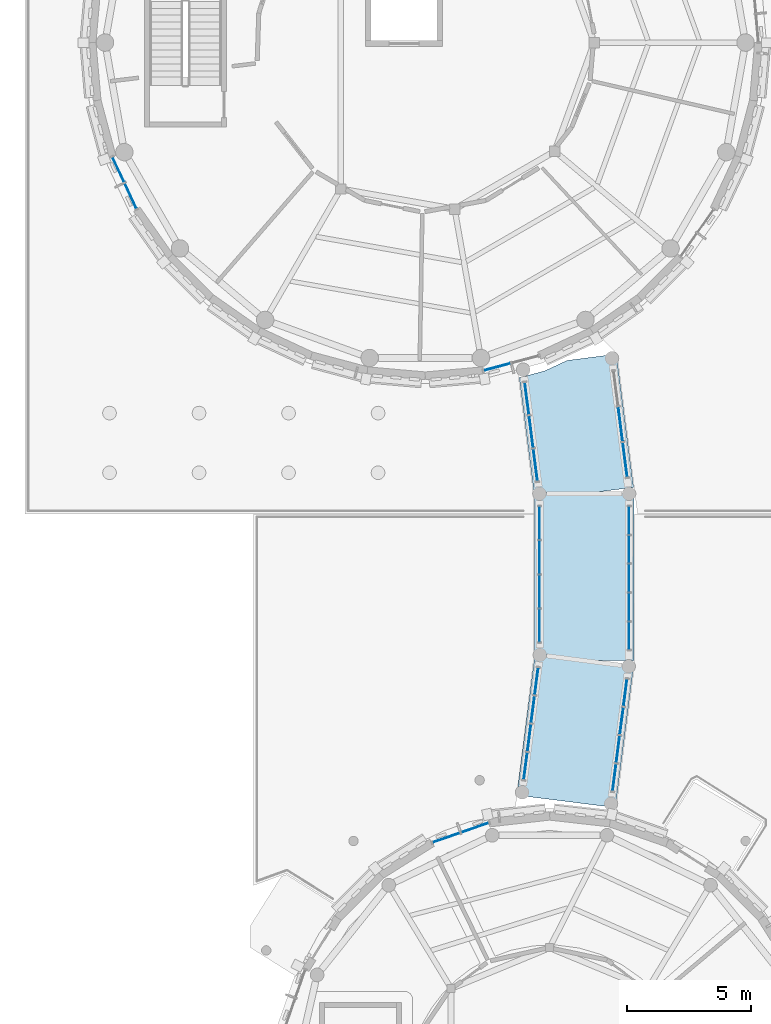
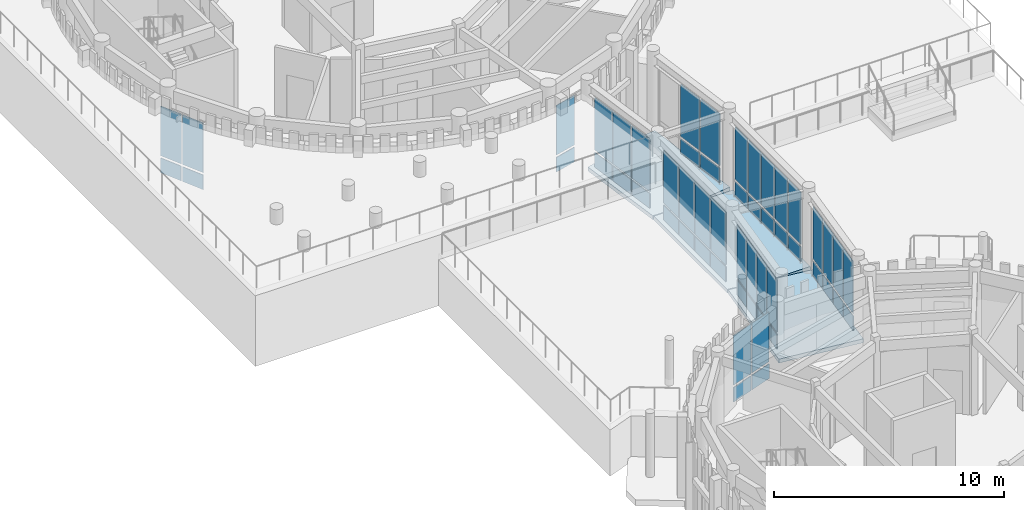
# One storey, part 38 of 94: 54 plates, 3 slabs, 9 elements without a shape of their own.
"""IFC4 building model written with IfcOpenShell, lengths in metres."""

import ifcopenshell
import ifcopenshell.guid

model = None  # the IFC model being written
_history = None  # IfcOwnerHistory: only IFC2X3 demands one
_inside = {}  # id of a spatial element -> (the spatial element, [elements in it])
_under = {}  # id of a project, library or spatial element -> (it, [spatial elements below it])
_declared = {}  # id of a project -> (the project, [libraries it declares])
_typed = {}  # id of a type object -> (the type object, [elements of that type])
_made_of = {}  # id of a material, layer set ... -> (it, [elements and type objects made of it])


def new_model(schema):
    """Start an empty IFC model of exactly this schema.

    Asked for "IFC4X3", IfcOpenShell would pick the latest addendum, in which some entities
    have other attributes; the version numbers below select the first issue.
    IFC2X3 requires an IfcOwnerHistory on every rooted entity: one is made here for all.
    """
    global model, _history
    if schema == "IFC4X3":
        model = ifcopenshell.file(schema_version=(4, 3, 0, 0))
    else:
        model = ifcopenshell.file(schema=schema)
    _inside.clear()
    _under.clear()
    _declared.clear()
    _typed.clear()
    _made_of.clear()
    _history = None
    if model.schema == "IFC2X3":
        org = make("IfcOrganization", Name="unknown")
        user = make(
            "IfcPersonAndOrganization",
            ThePerson=make("IfcPerson", FamilyName="unknown"),
            TheOrganization=org,
        )
        app = make(
            "IfcApplication",
            ApplicationDeveloper=org,
            Version="unknown",
            ApplicationFullName="unknown",
            ApplicationIdentifier="unknown",
        )
        _history = make(
            "IfcOwnerHistory",
            OwningUser=user,
            OwningApplication=app,
            ChangeAction="ADDED",
            CreationDate=0,
        )
    return model


def make(cls, **values):
    """One entity of the class cls with the attributes given. An attribute that is None is left unset."""
    return model.create_entity(
        cls, **{name: value for name, value in values.items() if value is not None}
    )


def rooted(cls, **values):
    """An entity with a GlobalId (a new one), such as an element, a storey or a relation."""
    return make(cls, GlobalId=ifcopenshell.guid.new(), OwnerHistory=_history, **values)


def si_unit(unit_type, name, prefix=None):
    """IfcSIUnit, for example si_unit("LENGTHUNIT", "METRE", prefix="MILLI")."""
    return make("IfcSIUnit", UnitType=unit_type, Prefix=prefix, Name=name)


def assignment(units):
    """IfcUnitAssignment: the units of a project."""
    return None if units is None else make("IfcUnitAssignment", Units=units)


def point(xyz):
    """IfcCartesianPoint."""
    return None if xyz is None else make("IfcCartesianPoint", Coordinates=xyz)


def direction(xyz):
    """IfcDirection."""
    return None if xyz is None else make("IfcDirection", DirectionRatios=xyz)


def frame(location, z_axis=None, x_axis=None):
    """IfcAxis2Placement3D, a coordinate frame: its origin and axes. An axis left out is left unset."""
    return make(
        "IfcAxis2Placement3D",
        Location=point(location),
        Axis=direction(z_axis),
        RefDirection=direction(x_axis),
    )


def frame_2d(location, x_axis=None):
    """IfcAxis2Placement2D, a coordinate frame in the plane: its origin and x axis."""
    return make(
        "IfcAxis2Placement2D", Location=point(location), RefDirection=direction(x_axis)
    )


def origin():
    """The frame at (0, 0, 0) with its axes left unset."""
    return frame((0.0, 0.0, 0.0))


def origin_2d():
    """The frame at (0, 0) in the plane with its x axis left unset."""
    return frame_2d((0.0, 0.0))


def place(relative_to, where):
    """IfcLocalPlacement: puts the frame where relative to a parent placement (None: the world)."""
    return make(
        "IfcLocalPlacement", PlacementRelTo=relative_to, RelativePlacement=where
    )


def context(
    kind, dimensions, precision=None, world=None, true_north=None, identifier=None
):
    """IfcGeometricRepresentationContext, for example the 3D "Model" context."""
    return make(
        "IfcGeometricRepresentationContext",
        ContextIdentifier=identifier,
        ContextType=kind,
        CoordinateSpaceDimension=dimensions,
        Precision=precision,
        WorldCoordinateSystem=world,
        TrueNorth=true_north,
    )


def subcontext(parent, identifier, kind, view, scale=None):
    """IfcGeometricRepresentationSubContext, for example "Body" below "Model"."""
    return make(
        "IfcGeometricRepresentationSubContext",
        ContextIdentifier=identifier,
        ContextType=kind,
        ParentContext=parent,
        TargetScale=scale,
        TargetView=view,
    )


def project(units=None, contexts=None):
    """IfcProject with its units and contexts."""
    return rooted(
        "IfcProject",
        Name="project",
        RepresentationContexts=contexts,
        UnitsInContext=assignment(units),
    )


def spatial(cls, under=None, at=None, **own):
    """A site, building, storey or space (cls), placed at a placement, below another one or the project."""
    s = rooted(cls, ObjectPlacement=at, **own)
    if under is not None:
        _under.setdefault(under.id(), (under, []))[1].append(s)
    return s


def polyline(points):
    """IfcPolyline through the points."""
    return make("IfcPolyline", Points=[point(p) for p in points])


def profile(cls, at=None, kind="AREA", **sizes):
    """A parametric profile (cls). Its sizes go by their IFC names, for example OverallWidth=200.0."""
    return make(cls, ProfileType=kind, Position=at, **sizes)


def rectangle(**sizes):
    """IfcRectangleProfileDef."""
    return profile("IfcRectangleProfileDef", **sizes)


def outline(outer, holes=None, kind="AREA"):
    """IfcArbitraryClosedProfileDef: a profile drawn as a closed curve; with holes, ...WithVoids."""
    if holes is None:
        return make("IfcArbitraryClosedProfileDef", ProfileType=kind, OuterCurve=outer)
    return make(
        "IfcArbitraryProfileDefWithVoids",
        ProfileType=kind,
        OuterCurve=outer,
        InnerCurves=holes,
    )


def extrude(swept, where, along, depth):
    """IfcExtrudedAreaSolid: the profile swept, set in the frame where, extruded along a direction by depth."""
    return make(
        "IfcExtrudedAreaSolid",
        SweptArea=swept,
        Position=where,
        ExtrudedDirection=direction(along),
        Depth=depth,
    )


def shape(context_of_items, identifier, shape_type, items):
    """IfcShapeRepresentation: the items that make up one representation, for example the "Body"."""
    return make(
        "IfcShapeRepresentation",
        ContextOfItems=context_of_items,
        RepresentationIdentifier=identifier,
        RepresentationType=shape_type,
        Items=items,
    )


def material(Name=None, Category=None):
    """IfcMaterial."""
    return make("IfcMaterial", Name=Name, Category=Category)


def layer(
    of_material, thickness, ventilated=None, Name=None, Category=None, Priority=None
):
    """IfcMaterialLayer: one layer of a wall or slab, of a material (None: an air gap)."""
    return make(
        "IfcMaterialLayer",
        Material=of_material,
        LayerThickness=thickness,
        IsVentilated=ventilated,
        Name=Name,
        Category=Category,
        Priority=Priority,
    )


def layer_set(layers, Name=None):
    """IfcMaterialLayerSet."""
    return make("IfcMaterialLayerSet", MaterialLayers=layers, LayerSetName=Name)


def made_of(thing, what):
    """Note that an element or type object is made of a material, layer set ...; save() writes the relation."""
    if what is not None:
        _made_of.setdefault(what.id(), (what, []))[1].append(thing)
    return thing


def type_object(cls, material=None, **own):
    """A type object (cls), such as IfcWallType, which elements share."""
    return made_of(rooted(cls, **own), material)


def element(
    cls,
    number,
    at=None,
    inside=None,
    cuts=None,
    type_object=None,
    material=None,
    context=None,
    identifier="Body",
    shape_type=None,
    held_by="IfcProductDefinitionShape",
    body=None,
    shapes=None,
    **own,
):
    """One element of the class cls, such as IfcWall. Its Tag is "e" and its number.

    at: its placement. inside: the storey or other place that contains it. cuts: it is an
    opening in that element (IfcRelVoidsElement). A single representation is given by context,
    identifier, shape_type and body (its items); several are given by shapes. held_by: the class
    of the entity that holds the representations. save() writes the other relations.
    """
    e = rooted(cls, Tag="e%d" % number, ObjectPlacement=at, **own)
    if body is not None:
        shapes = [shape(context, identifier, shape_type, body)]
    if shapes is not None:
        e.Representation = make(held_by, Representations=shapes)
    if inside is not None:
        _inside.setdefault(inside.id(), (inside, []))[1].append(e)
    if cuts is not None:
        rooted(
            "IfcRelVoidsElement", RelatingBuildingElement=cuts, RelatedOpeningElement=e
        )
    if type_object is not None:
        _typed.setdefault(type_object.id(), (type_object, []))[1].append(e)
    return made_of(e, material)


def aggregate(whole, parts):
    """IfcRelAggregates: a whole, such as a stair, and the parts it consists of."""
    return rooted("IfcRelAggregates", RelatingObject=whole, RelatedObjects=parts)


def save(model, path):
    """Write the relations noted so far, then the file.

    IfcRelAggregates (storeys below a building ...), IfcRelContainedInSpatialStructure (elements
    in a storey), IfcRelDefinesByType, IfcRelAssociatesMaterial and IfcRelDeclares: one each for
    every whole, place, type object, material and project.
    """
    for whole, parts in _under.values():
        aggregate(whole, parts)
    for where, things in _inside.values():
        rooted(
            "IfcRelContainedInSpatialStructure",
            RelatedElements=things,
            RelatingStructure=where,
        )
    for kind, things in _typed.values():
        rooted("IfcRelDefinesByType", RelatedObjects=things, RelatingType=kind)
    for what, things in _made_of.values():
        rooted("IfcRelAssociatesMaterial", RelatedObjects=things, RelatingMaterial=what)
    for by, libraries in _declared.values():
        rooted("IfcRelDeclares", RelatingContext=by, RelatedDefinitions=libraries)
    model.write(path)


model = new_model("IFC4")

# Units and contexts
model_context = context("Model", 3, precision=1e-05, world=origin(), true_north=direction((0.0, 1.0)))
body_context = subcontext(model_context, "Body", "Model", "MODEL_VIEW")
ifc_project = project(units=[si_unit("LENGTHUNIT", "METRE"), si_unit("AREAUNIT", "SQUARE_METRE"), si_unit("VOLUMEUNIT", "CUBIC_METRE"), si_unit("PLANEANGLEUNIT", "RADIAN"), si_unit("MASSUNIT", "GRAM", prefix="KILO")], contexts=[model_context])

# Site, building, storey
site_placement = place(None, origin())
site = spatial("IfcSite", under=ifc_project, at=site_placement, CompositionType="ELEMENT")
building_placement = place(site_placement, origin())
building = spatial("IfcBuilding", under=site, at=building_placement, Name="Aldenvaro Health Centre", CompositionType="ELEMENT")
storey_placement = place(building_placement, origin())
storey = spatial("IfcBuildingStorey", under=building, at=storey_placement, Name="L00", CompositionType="ELEMENT", Elevation=0.0)

# Curtain wall, plates
ifc_material_1 = material(Name="Anodised Aluminium 6063-T6", Category="aluminium")
ifc_layer_1 = layer(ifc_material_1, 0.195068359375, Name="Anodised Aluminium 6063-T6", Category="aluminium")
ifc_layer_set_1 = layer_set([ifc_layer_1], Name="Anodised Aluminium 6063-T6")
curtain_wall_type_1 = type_object("IfcCurtainWallType", Name="CW-CLN-02", PredefinedType="NOTDEFINED", material=ifc_layer_set_1)
curtain_wall_1_placement = place(storey_placement, origin())
curtain_wall_1 = element("IfcCurtainWall", 1, at=curtain_wall_1_placement, inside=storey, type_object=curtain_wall_type_1, Name="D3 L00 curtain wall bay 20", PredefinedType="NOTDEFINED")
ifc_material_2 = material(Name="Low-E Double Glazing IGU", Category="glass")
ifc_layer_2 = layer(ifc_material_2, 0.028076171875, Name="Low-E Double Glazing IGU", Category="glass")
ifc_layer_set_2 = layer_set([ifc_layer_2], Name="Low-E Double Glazing IGU")
plate_type_1 = type_object("IfcPlateType", Name="CWP-IGU-28", PredefinedType="CURTAIN_PANEL", material=ifc_layer_set_2)
plate_1_placement = place(storey_placement, frame((19.346923828125, 67.52197265625, 0.96044921875), z_axis=(0.0, 0.0, 1.0), x_axis=(0.943909441385, 0.330204431323, 0.0)))
plate_1 = element("IfcPlate", 2, at=plate_1_placement, type_object=plate_type_1, Name="D3 L00 curtain wall bay 20 vision glazing 1", PredefinedType="CURTAIN_PANEL", context=body_context, shape_type="SweptSolid", body=[
    extrude(rectangle(XDim=1.14990234375, YDim=0.028076171875, at=origin_2d()), origin(), (0.0, 0.0, 1.0), 2.638916015625),
])
plate_2_placement = place(storey_placement, frame((20.4990234375, 67.925048828125, 0.96044921875), z_axis=(0.0, 0.0, 1.0), x_axis=(0.943909441385, 0.330204431323, 0.0)))
plate_2 = element("IfcPlate", 3, at=plate_2_placement, type_object=plate_type_1, Name="D3 L00 curtain wall bay 20 vision glazing 2", PredefinedType="CURTAIN_PANEL", context=body_context, shape_type="SweptSolid", body=[
    extrude(rectangle(XDim=1.14990234375, YDim=0.028076171875, at=origin_2d()), origin(), (0.0, 0.0, 1.0), 2.638916015625),
])

# Curtain wall, plate
curtain_wall_2_placement = place(storey_placement, origin())
curtain_wall_2 = element("IfcCurtainWall", 4, at=curtain_wall_2_placement, inside=storey, type_object=curtain_wall_type_1, Name="D4 L00 curtain wall bay 08", PredefinedType="NOTDEFINED")
plate_3_placement = place(storey_placement, frame((21.39111328125, 86.455078125, 0.96044921875), z_axis=(0.0, 0.0, 1.0), x_axis=(-0.965978620089, -0.258621935517, 0.0)))
plate_3 = element("IfcPlate", 5, at=plate_3_placement, type_object=plate_type_1, Name="D4 L00 curtain wall bay 08 vision glazing 2", PredefinedType="CURTAIN_PANEL", context=body_context, shape_type="SweptSolid", body=[
    extrude(rectangle(XDim=1.097900390625, YDim=0.028076171875, at=origin_2d()), origin(), (0.0, 0.0, 1.0), 2.638916015625),
])

# Curtain wall, plates
curtain_wall_3_placement = place(storey_placement, origin())
curtain_wall_3 = element("IfcCurtainWall", 6, at=curtain_wall_3_placement, inside=storey, type_object=curtain_wall_type_1, Name="D4 L00 curtain wall bay 16", PredefinedType="NOTDEFINED")
plate_4_placement = place(storey_placement, frame((6.64794921875, 93.3291015625, 0.96044921875), z_axis=(0.0, 0.0, 1.0), x_axis=(-0.422557314215, 0.90633620484, 0.0)))
plate_4 = element("IfcPlate", 7, at=plate_4_placement, type_object=plate_type_1, Name="D4 L00 curtain wall bay 16 vision glazing 1", PredefinedType="CURTAIN_PANEL", context=body_context, shape_type="SweptSolid", body=[
    extrude(rectangle(XDim=1.097900390625, YDim=0.028076171875, at=origin_2d()), origin(), (0.0, 0.0, 1.0), 2.638916015625),
])
plate_5_placement = place(storey_placement, frame((6.155029296875, 94.387939453125, 0.96044921875), z_axis=(0.0, 0.0, 1.0), x_axis=(-0.422557314215, 0.90633620484, 0.0)))
plate_5 = element("IfcPlate", 8, at=plate_5_placement, type_object=plate_type_1, Name="D4 L00 curtain wall bay 16 vision glazing 2", PredefinedType="CURTAIN_PANEL", context=body_context, shape_type="SweptSolid", body=[
    extrude(rectangle(XDim=1.097900390625, YDim=0.028076171875, at=origin_2d()), origin(), (0.0, 0.0, 1.0), 2.638916015625),
])

ifc_layer_3 = layer(ifc_material_1, 0.2099609375, Name="Anodised Aluminium 6063-T6", Category="aluminium")
ifc_layer_set_3 = layer_set([ifc_layer_3], Name="Anodised Aluminium 6063-T6")
curtain_wall_type_2 = type_object("IfcCurtainWallType", Name="CW-BRG-03", PredefinedType="NOTDEFINED", material=ifc_layer_set_3)
curtain_wall_4_placement = place(storey_placement, origin())
curtain_wall_4 = element("IfcCurtainWall", 9, at=curtain_wall_4_placement, inside=storey, type_object=curtain_wall_type_2, Name="West North Curved Garden Walkway Arc 1 L00 glazed link wall L-1.1", PredefinedType="NOTDEFINED")
plate_6_placement = place(storey_placement, frame((22.531982421875, 70.405029296875, 0.96044921875), z_axis=(0.0, 0.0, 1.0), x_axis=(0.127846732711, 0.99179393673, 0.0)))
plate_6 = element("IfcPlate", 10, at=plate_6_placement, type_object=plate_type_1, Name="West North Curved Garden Walkway Arc 1 L00 glazed link wall L-1.1 vision glazing 1", PredefinedType="CURTAIN_PANEL", context=body_context, shape_type="SweptSolid", body=[
    extrude(rectangle(XDim=1.075927734375, YDim=0.028076171875, at=origin_2d()), origin(), (0.0, 0.0, 1.0), 2.784912109375),
])
plate_7_placement = place(storey_placement, frame((22.678955078125, 71.5419921875, 0.96044921875), z_axis=(0.0, 0.0, 1.0), x_axis=(0.127846732711, 0.99179393673, 0.0)))
plate_7 = element("IfcPlate", 11, at=plate_7_placement, type_object=plate_type_1, Name="West North Curved Garden Walkway Arc 1 L00 glazed link wall L-1.1 vision glazing 2", PredefinedType="CURTAIN_PANEL", context=body_context, shape_type="SweptSolid", body=[
    extrude(rectangle(XDim=1.075927734375, YDim=0.028076171875, at=origin_2d()), origin(), (0.0, 0.0, 1.0), 2.784912109375),
])
plate_8_placement = place(storey_placement, frame((22.824951171875, 72.677978515625, 0.96044921875), z_axis=(0.0, 0.0, 1.0), x_axis=(0.127846732711, 0.99179393673, 0.0)))
plate_8 = element("IfcPlate", 12, at=plate_8_placement, type_object=plate_type_1, Name="West North Curved Garden Walkway Arc 1 L00 glazed link wall L-1.1 vision glazing 3", PredefinedType="CURTAIN_PANEL", context=body_context, shape_type="SweptSolid", body=[
    extrude(rectangle(XDim=1.075927734375, YDim=0.028076171875, at=origin_2d()), origin(), (0.0, 0.0, 1.0), 2.784912109375),
])
plate_9_placement = place(storey_placement, frame((22.971923828125, 73.81494140625, 0.96044921875), z_axis=(0.0, 0.0, 1.0), x_axis=(0.127846732711, 0.99179393673, 0.0)))
plate_9 = element("IfcPlate", 13, at=plate_9_placement, type_object=plate_type_1, Name="West North Curved Garden Walkway Arc 1 L00 glazed link wall L-1.1 vision glazing 4", PredefinedType="CURTAIN_PANEL", context=body_context, shape_type="SweptSolid", body=[
    extrude(rectangle(XDim=1.075927734375, YDim=0.028076171875, at=origin_2d()), origin(), (0.0, 0.0, 1.0), 2.784912109375),
])

curtain_wall_5_placement = place(storey_placement, origin())
curtain_wall_5 = element("IfcCurtainWall", 14, at=curtain_wall_5_placement, inside=storey, type_object=curtain_wall_type_2, Name="West North Curved Garden Walkway Arc 1 L00 glazed link wall R-1.1", PredefinedType="NOTDEFINED")
plate_10_placement = place(storey_placement, frame((26.10302734375, 69.945068359375, 0.96044921875), z_axis=(0.0, 0.0, 1.0), x_axis=(0.127632121171, 0.991821577526, 0.0)))
plate_10 = element("IfcPlate", 15, at=plate_10_placement, type_object=plate_type_1, Name="West North Curved Garden Walkway Arc 1 L00 glazed link wall R-1.1 vision glazing 1", PredefinedType="CURTAIN_PANEL", context=body_context, shape_type="SweptSolid", body=[
    extrude(rectangle(XDim=1.075927734375, YDim=0.028076171875, at=origin_2d()), origin(), (0.0, 0.0, 1.0), 2.784912109375),
])
plate_11_placement = place(storey_placement, frame((26.2490234375, 71.08203125, 0.96044921875), z_axis=(0.0, 0.0, 1.0), x_axis=(0.127632121171, 0.991821577526, 0.0)))
plate_11 = element("IfcPlate", 16, at=plate_11_placement, type_object=plate_type_1, Name="West North Curved Garden Walkway Arc 1 L00 glazed link wall R-1.1 vision glazing 2", PredefinedType="CURTAIN_PANEL", context=body_context, shape_type="SweptSolid", body=[
    extrude(rectangle(XDim=1.075927734375, YDim=0.028076171875, at=origin_2d()), origin(), (0.0, 0.0, 1.0), 2.784912109375),
])
plate_12_placement = place(storey_placement, frame((26.39599609375, 72.218017578125, 0.96044921875), z_axis=(0.0, 0.0, 1.0), x_axis=(0.127632121171, 0.991821577526, 0.0)))
plate_12 = element("IfcPlate", 17, at=plate_12_placement, type_object=plate_type_1, Name="West North Curved Garden Walkway Arc 1 L00 glazed link wall R-1.1 vision glazing 3", PredefinedType="CURTAIN_PANEL", context=body_context, shape_type="SweptSolid", body=[
    extrude(rectangle(XDim=1.075927734375, YDim=0.028076171875, at=origin_2d()), origin(), (0.0, 0.0, 1.0), 2.784912109375),
])
plate_13_placement = place(storey_placement, frame((26.5419921875, 73.35498046875, 0.96044921875), z_axis=(0.0, 0.0, 1.0), x_axis=(0.127632121171, 0.991821577526, 0.0)))
plate_13 = element("IfcPlate", 18, at=plate_13_placement, type_object=plate_type_1, Name="West North Curved Garden Walkway Arc 1 L00 glazed link wall R-1.1 vision glazing 4", PredefinedType="CURTAIN_PANEL", context=body_context, shape_type="SweptSolid", body=[
    extrude(rectangle(XDim=1.075927734375, YDim=0.028076171875, at=origin_2d()), origin(), (0.0, 0.0, 1.0), 2.784912109375),
])

curtain_wall_6_placement = place(storey_placement, origin())
curtain_wall_6 = element("IfcCurtainWall", 19, at=curtain_wall_6_placement, inside=storey, type_object=curtain_wall_type_2, Name="West North Curved Garden Walkway Arc 2 L00 glazed link wall L-1.1", PredefinedType="NOTDEFINED")
plate_14_placement = place(storey_placement, frame((23.093017578125, 76.053955078125, 0.96044921875), z_axis=(0.0, 0.0, 1.0), x_axis=(0.0, 1.0, 0.0)))
plate_14 = element("IfcPlate", 20, at=plate_14_placement, type_object=plate_type_1, Name="West North Curved Garden Walkway Arc 2 L00 glazed link wall L-1.1 vision glazing 1", PredefinedType="CURTAIN_PANEL", context=body_context, shape_type="SweptSolid", body=[
    extrude(rectangle(XDim=1.303955078125, YDim=0.028076171875, at=origin_2d()), origin(), (0.0, 0.0, 1.0), 2.784912109375),
])
plate_15_placement = place(storey_placement, frame((23.093017578125, 77.427978515625, 0.96044921875), z_axis=(0.0, 0.0, 1.0), x_axis=(0.0, 1.0, 0.0)))
plate_15 = element("IfcPlate", 21, at=plate_15_placement, type_object=plate_type_1, Name="West North Curved Garden Walkway Arc 2 L00 glazed link wall L-1.1 vision glazing 2", PredefinedType="CURTAIN_PANEL", context=body_context, shape_type="SweptSolid", body=[
    extrude(rectangle(XDim=1.303955078125, YDim=0.028076171875, at=origin_2d()), origin(), (0.0, 0.0, 1.0), 2.784912109375),
])
plate_16_placement = place(storey_placement, frame((23.093017578125, 78.801025390625, 0.96044921875), z_axis=(0.0, 0.0, 1.0), x_axis=(0.0, 1.0, 0.0)))
plate_16 = element("IfcPlate", 22, at=plate_16_placement, type_object=plate_type_1, Name="West North Curved Garden Walkway Arc 2 L00 glazed link wall L-1.1 vision glazing 3", PredefinedType="CURTAIN_PANEL", context=body_context, shape_type="SweptSolid", body=[
    extrude(rectangle(XDim=1.303955078125, YDim=0.028076171875, at=origin_2d()), origin(), (0.0, 0.0, 1.0), 2.784912109375),
])
plate_17_placement = place(storey_placement, frame((23.093017578125, 80.175048828125, 0.96044921875), z_axis=(0.0, 0.0, 1.0), x_axis=(0.0, 1.0, 0.0)))
plate_17 = element("IfcPlate", 23, at=plate_17_placement, type_object=plate_type_1, Name="West North Curved Garden Walkway Arc 2 L00 glazed link wall L-1.1 vision glazing 4", PredefinedType="CURTAIN_PANEL", context=body_context, shape_type="SweptSolid", body=[
    extrude(rectangle(XDim=1.303955078125, YDim=0.028076171875, at=origin_2d()), origin(), (0.0, 0.0, 1.0), 2.784912109375),
])

curtain_wall_7_placement = place(storey_placement, origin())
curtain_wall_7 = element("IfcCurtainWall", 24, at=curtain_wall_7_placement, inside=storey, type_object=curtain_wall_type_2, Name="West North Curved Garden Walkway Arc 2 L00 glazed link wall R-1.1", PredefinedType="NOTDEFINED")
plate_18_placement = place(storey_placement, frame((26.693115234375, 75.64306640625, 0.96044921875), z_axis=(0.0, 0.0, 1.0), x_axis=(0.0, 1.0, 0.0)))
plate_18 = element("IfcPlate", 25, at=plate_18_placement, type_object=plate_type_1, Name="West North Curved Garden Walkway Arc 2 L00 glazed link wall R-1.1 vision glazing 1", PredefinedType="CURTAIN_PANEL", context=body_context, shape_type="SweptSolid", body=[
    extrude(rectangle(XDim=1.090087890625, YDim=0.028076171875, at=origin_2d()), origin(), (0.0, 0.0, 1.0), 2.784912109375),
])
plate_19_placement = place(storey_placement, frame((26.693115234375, 76.802978515625, 0.96044921875), z_axis=(0.0, 0.0, 1.0), x_axis=(0.0, 1.0, 0.0)))
plate_19 = element("IfcPlate", 26, at=plate_19_placement, type_object=plate_type_1, Name="West North Curved Garden Walkway Arc 2 L00 glazed link wall R-1.1 vision glazing 2", PredefinedType="CURTAIN_PANEL", context=body_context, shape_type="SweptSolid", body=[
    extrude(rectangle(XDim=1.090087890625, YDim=0.028076171875, at=origin_2d()), origin(), (0.0, 0.0, 1.0), 2.784912109375),
])
plate_20_placement = place(storey_placement, frame((26.693115234375, 77.962890625, 0.96044921875), z_axis=(0.0, 0.0, 1.0), x_axis=(0.0, 1.0, 0.0)))
plate_20 = element("IfcPlate", 27, at=plate_20_placement, type_object=plate_type_1, Name="West North Curved Garden Walkway Arc 2 L00 glazed link wall R-1.1 vision glazing 3", PredefinedType="CURTAIN_PANEL", context=body_context, shape_type="SweptSolid", body=[
    extrude(rectangle(XDim=1.090087890625, YDim=0.028076171875, at=origin_2d()), origin(), (0.0, 0.0, 1.0), 2.784912109375),
])
plate_21_placement = place(storey_placement, frame((26.693115234375, 79.1220703125, 0.96044921875), z_axis=(0.0, 0.0, 1.0), x_axis=(0.0, 1.0, 0.0)))
plate_21 = element("IfcPlate", 28, at=plate_21_placement, type_object=plate_type_1, Name="West North Curved Garden Walkway Arc 2 L00 glazed link wall R-1.1 vision glazing 4", PredefinedType="CURTAIN_PANEL", context=body_context, shape_type="SweptSolid", body=[
    extrude(rectangle(XDim=1.090087890625, YDim=0.028076171875, at=origin_2d()), origin(), (0.0, 0.0, 1.0), 2.784912109375),
])
plate_22_placement = place(storey_placement, frame((26.693115234375, 80.281982421875, 0.96044921875), z_axis=(0.0, 0.0, 1.0), x_axis=(0.0, 1.0, 0.0)))
plate_22 = element("IfcPlate", 29, at=plate_22_placement, type_object=plate_type_1, Name="West North Curved Garden Walkway Arc 2 L00 glazed link wall R-1.1 vision glazing 5", PredefinedType="CURTAIN_PANEL", context=body_context, shape_type="SweptSolid", body=[
    extrude(rectangle(XDim=1.090087890625, YDim=0.028076171875, at=origin_2d()), origin(), (0.0, 0.0, 1.0), 2.784912109375),
])

curtain_wall_8_placement = place(storey_placement, origin())
curtain_wall_8 = element("IfcCurtainWall", 30, at=curtain_wall_8_placement, inside=storey, type_object=curtain_wall_type_2, Name="West North Curved Garden Walkway Arc 3 L00 glazed link wall L-1.1", PredefinedType="NOTDEFINED")
plate_23_placement = place(storey_placement, frame((22.928955078125, 82.512939453125, 0.96044921875), z_axis=(0.0, 0.0, 1.0), x_axis=(-0.127720013925, 0.991810263126, 0.0)))
plate_23 = element("IfcPlate", 31, at=plate_23_placement, type_object=plate_type_1, Name="West North Curved Garden Walkway Arc 3 L00 glazed link wall L-1.1 vision glazing 1", PredefinedType="CURTAIN_PANEL", context=body_context, shape_type="SweptSolid", body=[
    extrude(rectangle(XDim=1.277099609375, YDim=0.028076171875, at=origin_2d()), origin(), (0.0, 0.0, 1.0), 2.784912109375),
])
plate_24_placement = place(storey_placement, frame((22.757080078125, 83.84912109375, 0.96044921875), z_axis=(0.0, 0.0, 1.0), x_axis=(-0.127720013925, 0.991810263126, 0.0)))
plate_24 = element("IfcPlate", 32, at=plate_24_placement, type_object=plate_type_1, Name="West North Curved Garden Walkway Arc 3 L00 glazed link wall L-1.1 vision glazing 2", PredefinedType="CURTAIN_PANEL", context=body_context, shape_type="SweptSolid", body=[
    extrude(rectangle(XDim=1.277099609375, YDim=0.028076171875, at=origin_2d()), origin(), (0.0, 0.0, 1.0), 2.784912109375),
])
plate_25_placement = place(storey_placement, frame((22.5849609375, 85.18408203125, 0.96044921875), z_axis=(0.0, 0.0, 1.0), x_axis=(-0.127720013925, 0.991810263126, 0.0)))
plate_25 = element("IfcPlate", 33, at=plate_25_placement, type_object=plate_type_1, Name="West North Curved Garden Walkway Arc 3 L00 glazed link wall L-1.1 vision glazing 3", PredefinedType="CURTAIN_PANEL", context=body_context, shape_type="SweptSolid", body=[
    extrude(rectangle(XDim=1.277099609375, YDim=0.028076171875, at=origin_2d()), origin(), (0.0, 0.0, 1.0), 2.784912109375),
])

curtain_wall_9_placement = place(storey_placement, origin())
curtain_wall_9 = element("IfcCurtainWall", 34, at=curtain_wall_9_placement, inside=storey, type_object=curtain_wall_type_2, Name="West North Curved Garden Walkway Arc 3 L00 glazed link wall R-1.1", PredefinedType="NOTDEFINED")
plate_26_placement = place(storey_placement, frame((26.531982421875, 82.721923828125, 0.96044921875), z_axis=(0.0, 0.0, 1.0), x_axis=(-0.127774101566, 0.99180329651, 0.0)))
plate_26 = element("IfcPlate", 35, at=plate_26_placement, type_object=plate_type_1, Name="West North Curved Garden Walkway Arc 3 L00 glazed link wall R-1.1 vision glazing 1", PredefinedType="CURTAIN_PANEL", context=body_context, shape_type="SweptSolid", body=[
    extrude(rectangle(XDim=1.3779296875, YDim=0.028076171875, at=origin_2d()), origin(), (0.0, 0.0, 1.0), 2.784912109375),
])
plate_27_placement = place(storey_placement, frame((26.347900390625, 84.157958984375, 0.96044921875), z_axis=(0.0, 0.0, 1.0), x_axis=(-0.127774101566, 0.99180329651, 0.0)))
plate_27 = element("IfcPlate", 36, at=plate_27_placement, type_object=plate_type_1, Name="West North Curved Garden Walkway Arc 3 L00 glazed link wall R-1.1 vision glazing 2", PredefinedType="CURTAIN_PANEL", context=body_context, shape_type="SweptSolid", body=[
    extrude(rectangle(XDim=1.3779296875, YDim=0.028076171875, at=origin_2d()), origin(), (0.0, 0.0, 1.0), 2.784912109375),
])

# Plate
ifc_material_3 = material(Name="Insulated Aluminium Spandrel", Category="aluminium")
ifc_layer_4 = layer(ifc_material_3, 0.035888671875, Name="Insulated Aluminium Spandrel", Category="aluminium")
ifc_layer_set_4 = layer_set([ifc_layer_4], Name="Insulated Aluminium Spandrel")
plate_type_2 = type_object("IfcPlateType", Name="CWP-SPN-36", PredefinedType="CURTAIN_PANEL", material=ifc_layer_set_4)
plate_28_placement = place(storey_placement, frame((19.346923828125, 67.52197265625, 0.06005859375), z_axis=(0.0, 0.0, 1.0), x_axis=(0.943909441385, 0.330204431323, 0.0)))
plate_28 = element("IfcPlate", 37, at=plate_28_placement, type_object=plate_type_2, Name="D3 L00 curtain wall bay 20 spandrel panel 1", PredefinedType="CURTAIN_PANEL", context=body_context, shape_type="SweptSolid", body=[
    extrude(rectangle(XDim=1.14990234375, YDim=0.035888671875, at=origin_2d()), origin(), (0.0, 0.0, 1.0), 0.780029296875),
])

plate_29_placement = place(storey_placement, frame((20.4990234375, 67.925048828125, 0.06005859375), z_axis=(0.0, 0.0, 1.0), x_axis=(0.943909441385, 0.330204431323, 0.0)))
plate_29 = element("IfcPlate", 38, at=plate_29_placement, type_object=plate_type_2, Name="D3 L00 curtain wall bay 20 spandrel panel 2", PredefinedType="CURTAIN_PANEL", context=body_context, shape_type="SweptSolid", body=[
    extrude(rectangle(XDim=1.14990234375, YDim=0.035888671875, at=origin_2d()), origin(), (0.0, 0.0, 1.0), 0.780029296875),
])

aggregate(curtain_wall_1, [plate_28, plate_1, plate_29, plate_2])

plate_30_placement = place(storey_placement, frame((21.39111328125, 86.455078125, 0.06005859375), z_axis=(0.0, 0.0, 1.0), x_axis=(-0.965978620089, -0.258621935517, 0.0)))
plate_30 = element("IfcPlate", 39, at=plate_30_placement, type_object=plate_type_2, Name="D4 L00 curtain wall bay 08 spandrel panel 2", PredefinedType="CURTAIN_PANEL", context=body_context, shape_type="SweptSolid", body=[
    extrude(rectangle(XDim=1.097900390625, YDim=0.035888671875, at=origin_2d()), origin(), (0.0, 0.0, 1.0), 0.780029296875),
])

aggregate(curtain_wall_2, [plate_30, plate_3])

plate_31_placement = place(storey_placement, frame((6.64794921875, 93.3291015625, 0.06005859375), z_axis=(0.0, 0.0, 1.0), x_axis=(-0.422557314215, 0.90633620484, 0.0)))
plate_31 = element("IfcPlate", 40, at=plate_31_placement, type_object=plate_type_2, Name="D4 L00 curtain wall bay 16 spandrel panel 1", PredefinedType="CURTAIN_PANEL", context=body_context, shape_type="SweptSolid", body=[
    extrude(rectangle(XDim=1.097900390625, YDim=0.035888671875, at=origin_2d()), origin(), (0.0, 0.0, 1.0), 0.780029296875),
])

plate_32_placement = place(storey_placement, frame((6.155029296875, 94.387939453125, 0.06005859375), z_axis=(0.0, 0.0, 1.0), x_axis=(-0.422557314215, 0.90633620484, 0.0)))
plate_32 = element("IfcPlate", 41, at=plate_32_placement, type_object=plate_type_2, Name="D4 L00 curtain wall bay 16 spandrel panel 2", PredefinedType="CURTAIN_PANEL", context=body_context, shape_type="SweptSolid", body=[
    extrude(rectangle(XDim=1.097900390625, YDim=0.035888671875, at=origin_2d()), origin(), (0.0, 0.0, 1.0), 0.780029296875),
])

aggregate(curtain_wall_3, [plate_31, plate_4, plate_32, plate_5])

plate_33_placement = place(storey_placement, frame((22.531982421875, 70.405029296875, 0.06005859375), z_axis=(0.0, 0.0, 1.0), x_axis=(0.127846732711, 0.99179393673, 0.0)))
plate_33 = element("IfcPlate", 42, at=plate_33_placement, type_object=plate_type_2, Name="West North Curved Garden Walkway Arc 1 L00 glazed link wall L-1.1 spandrel panel 1", PredefinedType="CURTAIN_PANEL", context=body_context, shape_type="SweptSolid", body=[
    extrude(rectangle(XDim=1.075927734375, YDim=0.035888671875, at=origin_2d()), origin(), (0.0, 0.0, 1.0), 0.780029296875),
])

plate_34_placement = place(storey_placement, frame((22.678955078125, 71.5419921875, 0.06005859375), z_axis=(0.0, 0.0, 1.0), x_axis=(0.127846732711, 0.99179393673, 0.0)))
plate_34 = element("IfcPlate", 43, at=plate_34_placement, type_object=plate_type_2, Name="West North Curved Garden Walkway Arc 1 L00 glazed link wall L-1.1 spandrel panel 2", PredefinedType="CURTAIN_PANEL", context=body_context, shape_type="SweptSolid", body=[
    extrude(rectangle(XDim=1.075927734375, YDim=0.035888671875, at=origin_2d()), origin(), (0.0, 0.0, 1.0), 0.780029296875),
])

plate_35_placement = place(storey_placement, frame((22.824951171875, 72.677978515625, 0.06005859375), z_axis=(0.0, 0.0, 1.0), x_axis=(0.127846732711, 0.99179393673, 0.0)))
plate_35 = element("IfcPlate", 44, at=plate_35_placement, type_object=plate_type_2, Name="West North Curved Garden Walkway Arc 1 L00 glazed link wall L-1.1 spandrel panel 3", PredefinedType="CURTAIN_PANEL", context=body_context, shape_type="SweptSolid", body=[
    extrude(rectangle(XDim=1.075927734375, YDim=0.035888671875, at=origin_2d()), origin(), (0.0, 0.0, 1.0), 0.780029296875),
])

plate_36_placement = place(storey_placement, frame((22.971923828125, 73.81494140625, 0.06005859375), z_axis=(0.0, 0.0, 1.0), x_axis=(0.127846732711, 0.99179393673, 0.0)))
plate_36 = element("IfcPlate", 45, at=plate_36_placement, type_object=plate_type_2, Name="West North Curved Garden Walkway Arc 1 L00 glazed link wall L-1.1 spandrel panel 4", PredefinedType="CURTAIN_PANEL", context=body_context, shape_type="SweptSolid", body=[
    extrude(rectangle(XDim=1.075927734375, YDim=0.035888671875, at=origin_2d()), origin(), (0.0, 0.0, 1.0), 0.780029296875),
])

aggregate(curtain_wall_4, [plate_33, plate_6, plate_34, plate_7, plate_35, plate_8, plate_36, plate_9])

plate_37_placement = place(storey_placement, frame((26.10302734375, 69.945068359375, 0.06005859375), z_axis=(0.0, 0.0, 1.0), x_axis=(0.127632121171, 0.991821577526, 0.0)))
plate_37 = element("IfcPlate", 46, at=plate_37_placement, type_object=plate_type_2, Name="West North Curved Garden Walkway Arc 1 L00 glazed link wall R-1.1 spandrel panel 1", PredefinedType="CURTAIN_PANEL", context=body_context, shape_type="SweptSolid", body=[
    extrude(rectangle(XDim=1.075927734375, YDim=0.035888671875, at=origin_2d()), origin(), (0.0, 0.0, 1.0), 0.780029296875),
])

plate_38_placement = place(storey_placement, frame((26.2490234375, 71.08203125, 0.06005859375), z_axis=(0.0, 0.0, 1.0), x_axis=(0.127632121171, 0.991821577526, 0.0)))
plate_38 = element("IfcPlate", 47, at=plate_38_placement, type_object=plate_type_2, Name="West North Curved Garden Walkway Arc 1 L00 glazed link wall R-1.1 spandrel panel 2", PredefinedType="CURTAIN_PANEL", context=body_context, shape_type="SweptSolid", body=[
    extrude(rectangle(XDim=1.075927734375, YDim=0.035888671875, at=origin_2d()), origin(), (0.0, 0.0, 1.0), 0.780029296875),
])

plate_39_placement = place(storey_placement, frame((26.39599609375, 72.218017578125, 0.06005859375), z_axis=(0.0, 0.0, 1.0), x_axis=(0.127632121171, 0.991821577526, 0.0)))
plate_39 = element("IfcPlate", 48, at=plate_39_placement, type_object=plate_type_2, Name="West North Curved Garden Walkway Arc 1 L00 glazed link wall R-1.1 spandrel panel 3", PredefinedType="CURTAIN_PANEL", context=body_context, shape_type="SweptSolid", body=[
    extrude(rectangle(XDim=1.075927734375, YDim=0.035888671875, at=origin_2d()), origin(), (0.0, 0.0, 1.0), 0.780029296875),
])

plate_40_placement = place(storey_placement, frame((26.5419921875, 73.35498046875, 0.06005859375), z_axis=(0.0, 0.0, 1.0), x_axis=(0.127632121171, 0.991821577526, 0.0)))
plate_40 = element("IfcPlate", 49, at=plate_40_placement, type_object=plate_type_2, Name="West North Curved Garden Walkway Arc 1 L00 glazed link wall R-1.1 spandrel panel 4", PredefinedType="CURTAIN_PANEL", context=body_context, shape_type="SweptSolid", body=[
    extrude(rectangle(XDim=1.075927734375, YDim=0.035888671875, at=origin_2d()), origin(), (0.0, 0.0, 1.0), 0.780029296875),
])

aggregate(curtain_wall_5, [plate_37, plate_10, plate_38, plate_11, plate_39, plate_12, plate_40, plate_13])

plate_41_placement = place(storey_placement, frame((23.093017578125, 76.053955078125, 0.06005859375), z_axis=(0.0, 0.0, 1.0), x_axis=(0.0, 1.0, 0.0)))
plate_41 = element("IfcPlate", 50, at=plate_41_placement, type_object=plate_type_2, Name="West North Curved Garden Walkway Arc 2 L00 glazed link wall L-1.1 spandrel panel 1", PredefinedType="CURTAIN_PANEL", context=body_context, shape_type="SweptSolid", body=[
    extrude(rectangle(XDim=1.303955078125, YDim=0.035888671875, at=origin_2d()), origin(), (0.0, 0.0, 1.0), 0.780029296875),
])

plate_42_placement = place(storey_placement, frame((23.093017578125, 77.427978515625, 0.06005859375), z_axis=(0.0, 0.0, 1.0), x_axis=(0.0, 1.0, 0.0)))
plate_42 = element("IfcPlate", 51, at=plate_42_placement, type_object=plate_type_2, Name="West North Curved Garden Walkway Arc 2 L00 glazed link wall L-1.1 spandrel panel 2", PredefinedType="CURTAIN_PANEL", context=body_context, shape_type="SweptSolid", body=[
    extrude(rectangle(XDim=1.303955078125, YDim=0.035888671875, at=origin_2d()), origin(), (0.0, 0.0, 1.0), 0.780029296875),
])

plate_43_placement = place(storey_placement, frame((23.093017578125, 78.801025390625, 0.06005859375), z_axis=(0.0, 0.0, 1.0), x_axis=(0.0, 1.0, 0.0)))
plate_43 = element("IfcPlate", 52, at=plate_43_placement, type_object=plate_type_2, Name="West North Curved Garden Walkway Arc 2 L00 glazed link wall L-1.1 spandrel panel 3", PredefinedType="CURTAIN_PANEL", context=body_context, shape_type="SweptSolid", body=[
    extrude(rectangle(XDim=1.303955078125, YDim=0.035888671875, at=origin_2d()), origin(), (0.0, 0.0, 1.0), 0.780029296875),
])

plate_44_placement = place(storey_placement, frame((23.093017578125, 80.175048828125, 0.06005859375), z_axis=(0.0, 0.0, 1.0), x_axis=(0.0, 1.0, 0.0)))
plate_44 = element("IfcPlate", 53, at=plate_44_placement, type_object=plate_type_2, Name="West North Curved Garden Walkway Arc 2 L00 glazed link wall L-1.1 spandrel panel 4", PredefinedType="CURTAIN_PANEL", context=body_context, shape_type="SweptSolid", body=[
    extrude(rectangle(XDim=1.303955078125, YDim=0.035888671875, at=origin_2d()), origin(), (0.0, 0.0, 1.0), 0.780029296875),
])

aggregate(curtain_wall_6, [plate_41, plate_14, plate_42, plate_15, plate_43, plate_16, plate_44, plate_17])

plate_45_placement = place(storey_placement, frame((26.693115234375, 75.64306640625, 0.06005859375), z_axis=(0.0, 0.0, 1.0), x_axis=(0.0, 1.0, 0.0)))
plate_45 = element("IfcPlate", 54, at=plate_45_placement, type_object=plate_type_2, Name="West North Curved Garden Walkway Arc 2 L00 glazed link wall R-1.1 spandrel panel 1", PredefinedType="CURTAIN_PANEL", context=body_context, shape_type="SweptSolid", body=[
    extrude(rectangle(XDim=1.090087890625, YDim=0.035888671875, at=origin_2d()), origin(), (0.0, 0.0, 1.0), 0.780029296875),
])

plate_46_placement = place(storey_placement, frame((26.693115234375, 76.802978515625, 0.06005859375), z_axis=(0.0, 0.0, 1.0), x_axis=(0.0, 1.0, 0.0)))
plate_46 = element("IfcPlate", 55, at=plate_46_placement, type_object=plate_type_2, Name="West North Curved Garden Walkway Arc 2 L00 glazed link wall R-1.1 spandrel panel 2", PredefinedType="CURTAIN_PANEL", context=body_context, shape_type="SweptSolid", body=[
    extrude(rectangle(XDim=1.090087890625, YDim=0.035888671875, at=origin_2d()), origin(), (0.0, 0.0, 1.0), 0.780029296875),
])

plate_47_placement = place(storey_placement, frame((26.693115234375, 77.962890625, 0.06005859375), z_axis=(0.0, 0.0, 1.0), x_axis=(0.0, 1.0, 0.0)))
plate_47 = element("IfcPlate", 56, at=plate_47_placement, type_object=plate_type_2, Name="West North Curved Garden Walkway Arc 2 L00 glazed link wall R-1.1 spandrel panel 3", PredefinedType="CURTAIN_PANEL", context=body_context, shape_type="SweptSolid", body=[
    extrude(rectangle(XDim=1.090087890625, YDim=0.035888671875, at=origin_2d()), origin(), (0.0, 0.0, 1.0), 0.780029296875),
])

plate_48_placement = place(storey_placement, frame((26.693115234375, 79.1220703125, 0.06005859375), z_axis=(0.0, 0.0, 1.0), x_axis=(0.0, 1.0, 0.0)))
plate_48 = element("IfcPlate", 57, at=plate_48_placement, type_object=plate_type_2, Name="West North Curved Garden Walkway Arc 2 L00 glazed link wall R-1.1 spandrel panel 4", PredefinedType="CURTAIN_PANEL", context=body_context, shape_type="SweptSolid", body=[
    extrude(rectangle(XDim=1.090087890625, YDim=0.035888671875, at=origin_2d()), origin(), (0.0, 0.0, 1.0), 0.780029296875),
])

plate_49_placement = place(storey_placement, frame((26.693115234375, 80.281982421875, 0.06005859375), z_axis=(0.0, 0.0, 1.0), x_axis=(0.0, 1.0, 0.0)))
plate_49 = element("IfcPlate", 58, at=plate_49_placement, type_object=plate_type_2, Name="West North Curved Garden Walkway Arc 2 L00 glazed link wall R-1.1 spandrel panel 5", PredefinedType="CURTAIN_PANEL", context=body_context, shape_type="SweptSolid", body=[
    extrude(rectangle(XDim=1.090087890625, YDim=0.035888671875, at=origin_2d()), origin(), (0.0, 0.0, 1.0), 0.780029296875),
])

aggregate(curtain_wall_7, [plate_45, plate_18, plate_46, plate_19, plate_47, plate_20, plate_48, plate_21, plate_49, plate_22])

plate_50_placement = place(storey_placement, frame((22.928955078125, 82.512939453125, 0.06005859375), z_axis=(0.0, 0.0, 1.0), x_axis=(-0.127720013925, 0.991810263126, 0.0)))
plate_50 = element("IfcPlate", 59, at=plate_50_placement, type_object=plate_type_2, Name="West North Curved Garden Walkway Arc 3 L00 glazed link wall L-1.1 spandrel panel 1", PredefinedType="CURTAIN_PANEL", context=body_context, shape_type="SweptSolid", body=[
    extrude(rectangle(XDim=1.277099609375, YDim=0.035888671875, at=origin_2d()), origin(), (0.0, 0.0, 1.0), 0.780029296875),
])

plate_51_placement = place(storey_placement, frame((22.757080078125, 83.84912109375, 0.06005859375), z_axis=(0.0, 0.0, 1.0), x_axis=(-0.127720013925, 0.991810263126, 0.0)))
plate_51 = element("IfcPlate", 60, at=plate_51_placement, type_object=plate_type_2, Name="West North Curved Garden Walkway Arc 3 L00 glazed link wall L-1.1 spandrel panel 2", PredefinedType="CURTAIN_PANEL", context=body_context, shape_type="SweptSolid", body=[
    extrude(rectangle(XDim=1.277099609375, YDim=0.035888671875, at=origin_2d()), origin(), (0.0, 0.0, 1.0), 0.780029296875),
])

plate_52_placement = place(storey_placement, frame((22.5849609375, 85.18408203125, 0.06005859375), z_axis=(0.0, 0.0, 1.0), x_axis=(-0.127720013925, 0.991810263126, 0.0)))
plate_52 = element("IfcPlate", 61, at=plate_52_placement, type_object=plate_type_2, Name="West North Curved Garden Walkway Arc 3 L00 glazed link wall L-1.1 spandrel panel 3", PredefinedType="CURTAIN_PANEL", context=body_context, shape_type="SweptSolid", body=[
    extrude(rectangle(XDim=1.277099609375, YDim=0.035888671875, at=origin_2d()), origin(), (0.0, 0.0, 1.0), 0.780029296875),
])

aggregate(curtain_wall_8, [plate_50, plate_23, plate_51, plate_24, plate_52, plate_25])

plate_53_placement = place(storey_placement, frame((26.531982421875, 82.721923828125, 0.06005859375), z_axis=(0.0, 0.0, 1.0), x_axis=(-0.127774101566, 0.99180329651, 0.0)))
plate_53 = element("IfcPlate", 62, at=plate_53_placement, type_object=plate_type_2, Name="West North Curved Garden Walkway Arc 3 L00 glazed link wall R-1.1 spandrel panel 1", PredefinedType="CURTAIN_PANEL", context=body_context, shape_type="SweptSolid", body=[
    extrude(rectangle(XDim=1.3779296875, YDim=0.035888671875, at=origin_2d()), origin(), (0.0, 0.0, 1.0), 0.780029296875),
])

plate_54_placement = place(storey_placement, frame((26.347900390625, 84.157958984375, 0.06005859375), z_axis=(0.0, 0.0, 1.0), x_axis=(-0.127774101566, 0.99180329651, 0.0)))
plate_54 = element("IfcPlate", 63, at=plate_54_placement, type_object=plate_type_2, Name="West North Curved Garden Walkway Arc 3 L00 glazed link wall R-1.1 spandrel panel 2", PredefinedType="CURTAIN_PANEL", context=body_context, shape_type="SweptSolid", body=[
    extrude(rectangle(XDim=1.3779296875, YDim=0.035888671875, at=origin_2d()), origin(), (0.0, 0.0, 1.0), 0.780029296875),
])

aggregate(curtain_wall_9, [plate_53, plate_26, plate_54, plate_27])

# Slabs
ifc_material_4 = material(Name="Cross-laminated timber CLT E1", Category="wood")
ifc_layer_5 = layer(ifc_material_4, 0.205078125, Name="Cross-laminated timber CLT E1", Category="wood")
ifc_layer_set_5 = layer_set([ifc_layer_5], Name="Cross-laminated timber CLT E1")
slab_type = type_object("IfcSlabType", Name="SLB-CLT-205", PredefinedType="FLOOR", material=ifc_layer_set_5)
slab_1_placement = place(storey_placement, frame((0.0, 0.0, -0.205078125)))
element("IfcSlab", 64, at=slab_1_placement, inside=storey, type_object=slab_type, Name="West North Curved Garden Walkway Arc 1 L00 deck slab", PredefinedType="FLOOR", context=body_context, shape_type="SweptSolid", body=[
    extrude(outline(polyline([(22.178955078125, 69.23095703125), (22.908935546875, 74.89892578125), (26.876953125, 74.386962890625), (26.14794921875, 68.73291015625), (22.178955078125, 69.23095703125)])), origin(), (0.0, 0.0, 1.0), 0.205078125),
])
slab_2_placement = place(storey_placement, frame((0.0, 0.0, -0.205078125)))
element("IfcSlab", 65, at=slab_2_placement, inside=storey, type_object=slab_type, Name="West North Curved Garden Walkway Arc 2 L00 deck slab", PredefinedType="FLOOR", context=body_context, shape_type="SweptSolid", body=[
    extrude(outline(polyline([(22.89306640625, 81.35693359375), (26.89306640625, 81.35693359375), (26.89306640625, 74.64306640625), (25.2060546875, 74.64306640625), (22.89306640625, 74.94091796875), (22.89306640625, 81.35693359375)])), origin(), (0.0, 0.0, 1.0), 0.205078125),
])
slab_3_placement = place(storey_placement, frame((0.0, 0.0, -0.205078125)))
element("IfcSlab", 66, at=slab_3_placement, inside=storey, type_object=slab_type, Name="West North Curved Garden Walkway Arc 3 L00 deck slab", PredefinedType="FLOOR", context=body_context, shape_type="SweptSolid", body=[
    extrude(outline(polyline([(26.18603515625, 86.970947265625), (26.876953125, 81.613037109375), (25.202880859375, 81.39697265625), (22.87109375, 81.39697265625), (22.27587890625, 86.02099609375), (23.304931640625, 86.297119140625), (24.202880859375, 86.716064453125), (26.18603515625, 86.970947265625)])), origin(), (0.0, 0.0, 1.0), 0.205078125),
])

save(model, "model.ifc")
